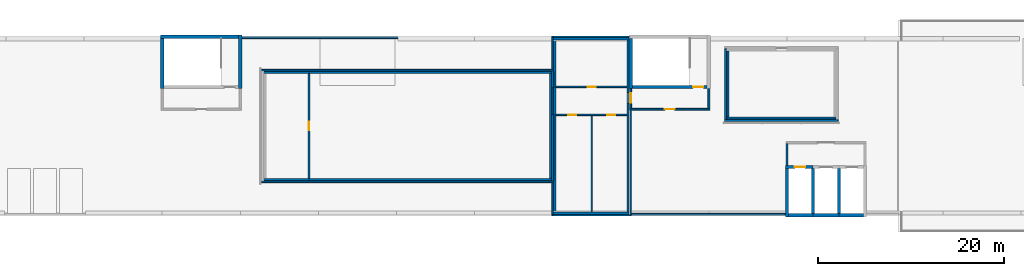
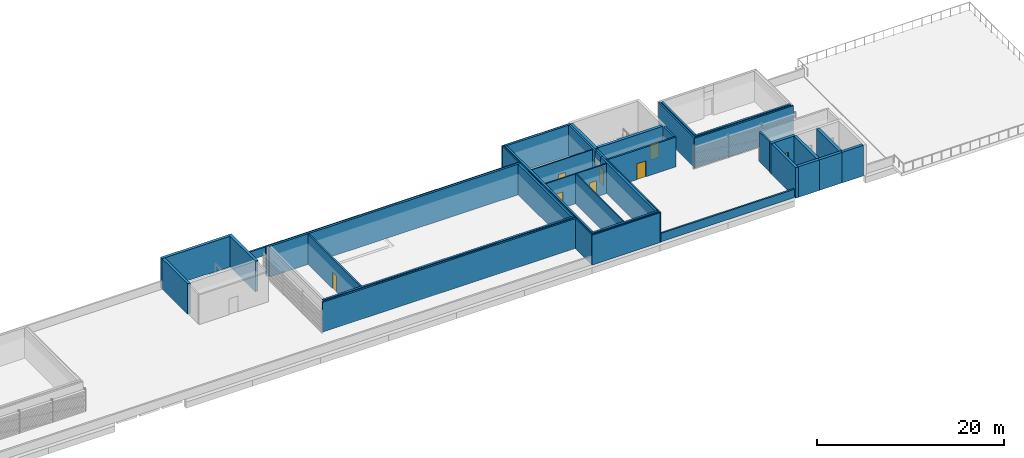
# One storey, part 3 of 13: 45 walls, 8 doors, 8 openings.
"""IFC4 building model written with IfcOpenShell, lengths in metres."""

from ifc_helpers import new_model, si_unit, direction, frame, frame_2d, origin, place, context, subcontext, project, spatial, polyline, rectangle, outline, extrude, material, layer, layer_set, type_object, element, fill, save


model = new_model("IFC4")

# Units and contexts
model_context = context("Model", 3, precision=1e-05, world=origin(), true_north=direction((0.0, 1.0)))
body_context = subcontext(model_context, "Body", "Model", "MODEL_VIEW")
ifc_project = project(units=[si_unit("LENGTHUNIT", "METRE"), si_unit("AREAUNIT", "SQUARE_METRE"), si_unit("VOLUMEUNIT", "CUBIC_METRE"), si_unit("PLANEANGLEUNIT", "RADIAN"), si_unit("MASSUNIT", "GRAM", prefix="KILO")], contexts=[model_context])

# Site, building, storey
site_placement = place(None, origin())
site = spatial("IfcSite", under=ifc_project, at=site_placement, CompositionType="ELEMENT")
building_placement = place(site_placement, origin())
building = spatial("IfcBuilding", under=site, at=building_placement, Name="Bougainvillea Quay General Hospital", CompositionType="ELEMENT")
storey_placement = place(building_placement, frame((0.0, 0.0, 36.60009765625)))
storey = spatial("IfcBuildingStorey", under=building, at=storey_placement, Name="L08", CompositionType="ELEMENT", Elevation=36.60009765625)

# Walls
ifc_material_1 = material(Name="Concrete C40, cast in situ", Category="concrete")
ifc_layer_1 = layer(ifc_material_1, 0.25)
ifc_layer_set_1 = layer_set([ifc_layer_1], Name="Concrete C40, cast in situ")
wall_type_1 = type_object("IfcWallType", Name="Lift overrun wall RC 250", PredefinedType="SOLIDWALL", material=ifc_layer_set_1)
wall_1_placement = place(storey_placement, origin())
element("IfcWall", 1, at=wall_1_placement, inside=storey, type_object=wall_type_1, Name="Lift overrun wall 0", PredefinedType="SOLIDWALL", context=body_context, shape_type="SweptSolid", body=[
    extrude(outline(polyline([(94.900390625, 144.1005859375), (125.8994140625, 144.1005859375), (125.8994140625, 144.3505859375), (94.900390625, 144.3505859375), (94.900390625, 144.1005859375)])), origin(), (0.0, 0.0, 1.0), 4.0),
])
wall_2_placement = place(storey_placement, origin())
element("IfcWall", 2, at=wall_2_placement, inside=storey, type_object=wall_type_1, Name="Lift overrun wall 0", PredefinedType="SOLIDWALL", context=body_context, shape_type="SweptSolid", body=[
    extrude(outline(polyline([(94.900390625, 155.6494140625), (125.8994140625, 155.6494140625), (125.8994140625, 155.8994140625), (94.900390625, 155.8994140625), (94.900390625, 155.6494140625)])), origin(), (0.0, 0.0, 1.0), 4.0),
])
wall_3_placement = place(storey_placement, origin())
element("IfcWall", 3, at=wall_3_placement, inside=storey, type_object=wall_type_1, Name="Lift overrun wall 0", PredefinedType="SOLIDWALL", context=body_context, shape_type="SweptSolid", body=[
    extrude(outline(polyline([(125.6494140625, 144.3505859375), (125.8994140625, 144.3505859375), (125.8994140625, 155.6494140625), (125.6494140625, 155.6494140625), (125.6494140625, 144.3505859375)])), origin(), (0.0, 0.0, 1.0), 4.0),
])
wall_4_placement = place(storey_placement, origin())
element("IfcWall", 4, at=wall_4_placement, inside=storey, type_object=wall_type_1, Name="Lift overrun wall 0", PredefinedType="SOLIDWALL", context=body_context, shape_type="SweptSolid", body=[
    extrude(outline(polyline([(144.700439453125, 150.700439453125), (156.49951171875, 150.700439453125), (156.49951171875, 150.950439453125), (144.700439453125, 150.950439453125), (144.700439453125, 150.700439453125)])), origin(), (0.0, 0.0, 1.0), 4.0),
])
wall_5_placement = place(storey_placement, origin())
element("IfcWall", 5, at=wall_5_placement, inside=storey, type_object=wall_type_1, Name="Lift overrun wall 0", PredefinedType="SOLIDWALL", context=body_context, shape_type="SweptSolid", body=[
    extrude(outline(polyline([(144.700439453125, 150.950439453125), (144.950439453125, 150.950439453125), (144.950439453125, 158.049560546875), (144.700439453125, 158.049560546875), (144.700439453125, 150.950439453125)])), origin(), (0.0, 0.0, 1.0), 4.0),
])
wall_6_placement = place(storey_placement, origin())
element("IfcWall", 6, at=wall_6_placement, inside=storey, type_object=wall_type_1, Name="Lift overrun wall 0", PredefinedType="SOLIDWALL", context=body_context, shape_type="SweptSolid", body=[
    extrude(outline(polyline([(126.1005859375, 140.50048828125), (134.224609375, 140.50048828125), (134.224609375, 140.75048828125), (126.1005859375, 140.75048828125), (126.1005859375, 140.50048828125)])), origin(), (0.0, 0.0, 1.0), 4.0),
])
wall_7_placement = place(storey_placement, origin())
element("IfcWall", 7, at=wall_7_placement, inside=storey, type_object=wall_type_1, Name="Lift overrun wall 0", PredefinedType="SOLIDWALL", context=body_context, shape_type="SweptSolid", body=[
    extrude(outline(polyline([(126.1005859375, 159.24951171875), (134.224609375, 159.24951171875), (134.224609375, 159.49951171875), (126.1005859375, 159.49951171875), (126.1005859375, 159.24951171875)])), origin(), (0.0, 0.0, 1.0), 4.0),
])
wall_8_placement = place(storey_placement, origin())
element("IfcWall", 8, at=wall_8_placement, inside=storey, type_object=wall_type_1, Name="Lift overrun wall 0", PredefinedType="SOLIDWALL", context=body_context, shape_type="SweptSolid", body=[
    extrude(outline(polyline([(126.1005859375, 140.75048828125), (126.3505859375, 140.75048828125), (126.3505859375, 159.24951171875), (126.1005859375, 159.24951171875), (126.1005859375, 140.75048828125)])), origin(), (0.0, 0.0, 1.0), 4.0),
])
wall_9_placement = place(storey_placement, origin())
element("IfcWall", 9, at=wall_9_placement, inside=storey, type_object=wall_type_1, Name="Lift overrun wall 0", PredefinedType="SOLIDWALL", context=body_context, shape_type="SweptSolid", body=[
    extrude(outline(polyline([(134.224609375, 140.75048828125), (133.974609375, 140.75048828125), (133.974609375, 152.39990234375), (134.224609375, 152.39990234375), (134.224609375, 140.75048828125)])), origin(), (0.0, 0.0, 1.0), 4.0),
])
wall_10_placement = place(storey_placement, origin())
element("IfcWall", 10, at=wall_10_placement, inside=storey, type_object=wall_type_1, Name="Lift overrun wall 0", PredefinedType="SOLIDWALL", context=body_context, shape_type="SweptSolid", body=[
    extrude(outline(polyline([(133.974609375, 159.24951171875), (134.224609375, 159.24951171875), (134.224609375, 153.60009765625), (133.974609375, 153.60009765625), (133.974609375, 159.24951171875)])), origin(), (0.0, 0.0, 1.0), 4.0),
])
wall_11_placement = place(storey_placement, frame((0.0, 0.0, 3.309814453125)))
element("IfcWall", 11, at=wall_11_placement, inside=storey, type_object=wall_type_1, Name="Lift overrun wall 0", PredefinedType="SOLIDWALL", context=body_context, shape_type="SweptSolid", body=[
    extrude(outline(polyline([(134.224609375, 152.39990234375), (133.974609375, 152.39990234375), (133.974609375, 153.60009765625), (134.224609375, 153.60009765625), (134.224609375, 152.39990234375)])), origin(), (0.0, 0.0, 1.0), 0.690185546875),
])
ifc_material_2 = material(Name="Gypsum board partition on steel studs, insulated", Category="steel")
ifc_layer_2 = layer(ifc_material_2, 0.14990234375)
ifc_layer_set_2 = layer_set([ifc_layer_2], Name="Gypsum board partition on steel studs, insulated")
wall_type_2 = type_object("IfcWallType", Name="Partition 150 Gypsum board partition EI 30", PredefinedType="PARTITIONING", material=ifc_layer_set_2)
wall_12_placement = place(storey_placement, frame((134.39990234375, 140.324951171875, 0.0), z_axis=(0.0, 0.0, 1.0), x_axis=(0.0, 1.0, 0.0)))
element("IfcWall", 12, at=wall_12_placement, inside=storey, type_object=wall_type_2, Name="Partition 150 mm EI 30", PredefinedType="PARTITIONING", context=body_context, shape_type="SweptSolid", body=[
    extrude(rectangle(XDim=11.375, YDim=0.14990234375, at=frame_2d((5.6875, 0.0))), origin(), (0.0, 0.0, 1.0), 3.89990234375),
])
wall_13_placement = place(storey_placement, frame((125.925048828125, 140.39990234375, 0.0), z_axis=(0.0, 0.0, 1.0), x_axis=(1.0, 0.0, 0.0)))
element("IfcWall", 13, at=wall_13_placement, inside=storey, type_object=wall_type_2, Name="Partition 150 mm EI 30", PredefinedType="PARTITIONING", context=body_context, shape_type="SweptSolid", body=[
    extrude(rectangle(XDim=8.39990234375, YDim=0.14990234375, at=frame_2d((4.199951171875, 0.0))), origin(), (0.0, 0.0, 1.0), 3.89990234375),
])

# Wall, openings, doors
wall_14_placement = place(storey_placement, frame((126.3505859375, 151.199951171875, 0.0), z_axis=(0.0, 0.0, 1.0), x_axis=(1.0, 0.0, 0.0)))
wall_14 = element("IfcWall", 14, at=wall_14_placement, inside=storey, type_object=wall_type_2, Name="Partition 150 mm EI 30", PredefinedType="PARTITIONING", context=body_context, shape_type="SweptSolid", body=[
    extrude(rectangle(XDim=7.6240234375, YDim=0.14990234375, at=frame_2d((3.81201171875, 0.0))), origin(), (0.0, 0.0, 1.0), 3.89990234375),
])
opening_1_placement = place(wall_14_placement, frame((1.299560546875, 0.0, 0.0)))
opening_1 = element("IfcOpeningElement", 15, at=opening_1_placement, cuts=wall_14, Name="Opening L08.003", PredefinedType="OPENING", context=body_context, shape_type="SweptSolid", body=[
    extrude(rectangle(XDim=0.89990234375, YDim=2.10009765625, at=frame_2d((0.449951171875, 1.050048828125))), frame((0.0, 0.0849609375, 0.0), z_axis=(0.0, -1.0, 0.0), x_axis=(1.0, 0.0, 0.0)), (0.0, 0.0, 1.0), 0.169921875),
])
opening_2_placement = place(wall_14_placement, frame((5.49951171875, 0.0, 0.0)))
opening_2 = element("IfcOpeningElement", 16, at=opening_2_placement, cuts=wall_14, Name="Opening L08.004", PredefinedType="OPENING", context=body_context, shape_type="SweptSolid", body=[
    extrude(rectangle(XDim=0.89990234375, YDim=2.10009765625, at=frame_2d((0.449951171875, 1.050048828125))), frame((0.0, 0.0849609375, 0.0), z_axis=(0.0, -1.0, 0.0), x_axis=(1.0, 0.0, 0.0)), (0.0, 0.0, 1.0), 0.169921875),
])
ifc_material_3 = material(Name="Solid-core timber door leaf in steel frame", Category="steel")
door_type_1 = type_object("IfcDoorType", Name="Single leaf door 900x2100", OperationType="NOTDEFINED", PredefinedType="DOOR", material=ifc_material_3)
door_1_placement = place(opening_1_placement, origin())
door_1 = element("IfcDoor", 17, at=door_1_placement, inside=storey, type_object=door_type_1, Name="DT07 L08.003", OperationType="SINGLE_SWING_LEFT", OverallHeight=2.10009765625, OverallWidth=0.89990234375, PredefinedType="DOOR", context=body_context, shape_type="SweptSolid", body=[
    extrude(rectangle(XDim=0.89990234375, YDim=2.10009765625, at=frame_2d((0.449951171875, 1.050048828125))), frame((0.0, 0.02490234375, 0.0), z_axis=(0.0, -1.0, 0.0), x_axis=(1.0, 0.0, 0.0)), (0.0, 0.0, 1.0), 0.050048828125),
])
fill(opening_1, door_1)
door_2_placement = place(opening_2_placement, origin())
door_2 = element("IfcDoor", 18, at=door_2_placement, inside=storey, type_object=door_type_1, Name="DT07 L08.004", OperationType="SINGLE_SWING_RIGHT", OverallHeight=2.10009765625, OverallWidth=0.89990234375, PredefinedType="DOOR", context=body_context, shape_type="SweptSolid", body=[
    extrude(rectangle(XDim=0.89990234375, YDim=2.10009765625, at=frame_2d((0.449951171875, 1.050048828125))), frame((0.0, 0.02490234375, 0.0), z_axis=(0.0, -1.0, 0.0), x_axis=(1.0, 0.0, 0.0)), (0.0, 0.0, 1.0), 0.050048828125),
])
fill(opening_2, door_2)

# Wall
wall_15_placement = place(storey_placement, frame((130.199951171875, 140.75048828125, 0.0), z_axis=(0.0, 0.0, 1.0), x_axis=(0.0, 1.0, 0.0)))
element("IfcWall", 19, at=wall_15_placement, inside=storey, type_object=wall_type_2, Name="Partition 150 mm EI 30", PredefinedType="PARTITIONING", context=body_context, shape_type="SweptSolid", body=[
    extrude(rectangle(XDim=10.37451171875, YDim=0.14990234375, at=frame_2d((5.187255859375, 0.0))), origin(), (0.0, 0.0, 1.0), 3.89990234375),
])

# Wall, opening, door
wall_16_placement = place(storey_placement, frame((126.3505859375, 154.199951171875, 0.0), z_axis=(0.0, 0.0, 1.0), x_axis=(1.0, 0.0, 0.0)))
wall_16 = element("IfcWall", 20, at=wall_16_placement, inside=storey, type_object=wall_type_2, Name="Partition 150 mm EI 30", PredefinedType="PARTITIONING", context=body_context, shape_type="SweptSolid", body=[
    extrude(rectangle(XDim=7.6240234375, YDim=0.14990234375, at=frame_2d((3.81201171875, 0.0))), origin(), (0.0, 0.0, 1.0), 3.89990234375),
])
opening_3_placement = place(wall_16_placement, frame((3.3994140625, 0.0, 0.0)))
opening_3 = element("IfcOpeningElement", 21, at=opening_3_placement, cuts=wall_16, Name="Opening L08.005", PredefinedType="OPENING", context=body_context, shape_type="SweptSolid", body=[
    extrude(rectangle(XDim=0.89990234375, YDim=2.10009765625, at=frame_2d((0.449951171875, 1.050048828125))), frame((0.0, 0.0849609375, 0.0), z_axis=(0.0, -1.0, 0.0), x_axis=(1.0, 0.0, 0.0)), (0.0, 0.0, 1.0), 0.169921875),
])
door_3_placement = place(opening_3_placement, frame((0.89990234375, 0.0, 0.0), z_axis=(0.0, 0.0, 1.0), x_axis=(-1.0, 0.0, 0.0)))
door_3 = element("IfcDoor", 22, at=door_3_placement, inside=storey, type_object=door_type_1, Name="DT07 L08.005", OperationType="SINGLE_SWING_LEFT", OverallHeight=2.10009765625, OverallWidth=0.89990234375, PredefinedType="DOOR", context=body_context, shape_type="SweptSolid", body=[
    extrude(rectangle(XDim=0.89990234375, YDim=2.10009765625, at=frame_2d((0.449951171875, 1.050048828125))), frame((0.0, 0.02490234375, 0.0), z_axis=(0.0, -1.0, 0.0), x_axis=(1.0, 0.0, 0.0)), (0.0, 0.0, 1.0), 0.050048828125),
])
fill(opening_3, door_3)

# Walls
wall_17_placement = place(storey_placement, frame((125.925048828125, 159.60009765625, 0.0), z_axis=(0.0, 0.0, 1.0), x_axis=(1.0, 0.0, 0.0)))
element("IfcWall", 23, at=wall_17_placement, inside=storey, type_object=wall_type_2, Name="Partition 150 mm EI 30", PredefinedType="PARTITIONING", context=body_context, shape_type="SweptSolid", body=[
    extrude(rectangle(XDim=8.300048828125, YDim=0.14990234375, at=frame_2d((4.14990234375, 0.0))), origin(), (0.0, 0.0, 1.0), 3.89990234375),
])
for number, where, z_axis, x_axis, name in (
    (24, (126.0, 140.47509765625, 0.0), (0.0, 0.0, 1.0), (0.0, 1.0, 0.0), "Partition 150 mm EI 30"),
    (25, (126.0, 156.10009765625, 0.0), (0.0, 0.0, 1.0), (0.0, 1.0, 0.0), "Partition 150 mm EI 30"),
):
    element("IfcWall", number, at=place(storey_placement, frame(where, z_axis=z_axis, x_axis=x_axis)), inside=storey, type_object=wall_type_2, Name=name, PredefinedType="PARTITIONING", context=body_context, shape_type="SweptSolid", body=[
        extrude(rectangle(XDim=3.4248046875, YDim=0.14990234375, at=frame_2d((1.71240234375, 0.0))), origin(), (0.0, 0.0, 1.0), 3.89990234375),
    ])
ifc_layer_3 = layer(ifc_material_2, 0.14990234375)
ifc_layer_set_3 = layer_set([ifc_layer_3], Name="Gypsum board partition on steel studs, insulated")
wall_type_3 = type_object("IfcWallType", Name="Partition 150 Gypsum board partition EI 60", PredefinedType="PARTITIONING", material=ifc_layer_set_3)
wall_18_placement = place(storey_placement, frame((126.0, 151.27490234375, 0.0), z_axis=(0.0, 0.0, 1.0), x_axis=(0.0, 1.0, 0.0)))
element("IfcWall", 26, at=wall_18_placement, inside=storey, type_object=wall_type_3, Name="Partition 150 mm EI 60", PredefinedType="PARTITIONING", context=body_context, shape_type="SweptSolid", body=[
    extrude(rectangle(XDim=2.85009765625, YDim=0.14990234375, at=frame_2d((1.425048828125, 0.0))), origin(), (0.0, 0.0, 1.0), 3.89990234375),
])

# Wall, opening, door
ifc_material_4 = material(Name="Fire-rated autoclaved aerated block wall, plastered")
ifc_layer_4 = layer(ifc_material_4, 0.199951171875)
ifc_layer_set_4 = layer_set([ifc_layer_4], Name="Fire-rated autoclaved aerated block wall, plastered")
wall_type_4 = type_object("IfcWallType", Name="Partition 200 Fire-rated autoclaved aerated block wall EI 120", PredefinedType="SOLIDWALL", material=ifc_layer_set_4)
wall_19_placement = place(storey_placement, frame((134.300048828125, 151.800048828125, 0.0), z_axis=(0.0, 0.0, 1.0), x_axis=(1.0, 0.0, 0.0)))
wall_19 = element("IfcWall", 27, at=wall_19_placement, inside=storey, type_object=wall_type_4, Name="Partition 200 mm EI 120", PredefinedType="SOLIDWALL", context=body_context, shape_type="SweptSolid", body=[
    extrude(rectangle(XDim=8.599853515625, YDim=0.199951171875, at=frame_2d((4.2998046875, 0.0))), origin(), (0.0, 0.0, 1.0), 3.89990234375),
])
opening_4_placement = place(wall_19_placement, frame((3.75, 0.0, 0.0)))
opening_4 = element("IfcOpeningElement", 28, at=opening_4_placement, cuts=wall_19, Name="Opening L08.010", PredefinedType="OPENING", context=body_context, shape_type="SweptSolid", body=[
    extrude(rectangle(XDim=1.10009765625, YDim=2.10009765625, at=frame_2d((0.550048828125, 1.050048828125))), frame((0.0, 0.10986328125, 0.0), z_axis=(0.0, -1.0, 0.0), x_axis=(1.0, 0.0, 0.0)), (0.0, 0.0, 1.0), 0.219970703125),
])
ifc_material_5 = material(Name="Steel fire door leaf in steel frame", Category="steel")
door_type_2 = type_object("IfcDoorType", Name="Steel single leaf door 1100x2100 FD60", OperationType="NOTDEFINED", PredefinedType="DOOR", material=ifc_material_5)
door_4_placement = place(opening_4_placement, origin())
door_4 = element("IfcDoor", 29, at=door_4_placement, inside=storey, type_object=door_type_2, Name="DT04 L08.010", OperationType="SINGLE_SWING_LEFT", OverallHeight=2.10009765625, OverallWidth=1.10009765625, PredefinedType="DOOR", context=body_context, shape_type="SweptSolid", body=[
    extrude(rectangle(XDim=1.10009765625, YDim=2.10009765625, at=frame_2d((0.550048828125, 1.050048828125))), frame((0.0, 0.02490234375, 0.0), z_axis=(0.0, -1.0, 0.0), x_axis=(1.0, 0.0, 0.0)), (0.0, 0.0, 1.0), 0.050048828125),
])
fill(opening_4, door_4)

# Wall
wall_20_placement = place(storey_placement, frame((151.199951171875, 145.77490234375, 0.0), z_axis=(0.0, 0.0, 1.0), x_axis=(0.0, 1.0, 0.0)))
element("IfcWall", 30, at=wall_20_placement, inside=storey, type_object=wall_type_4, Name="Partition 200 mm EI 120", PredefinedType="SOLIDWALL", context=body_context, shape_type="SweptSolid", body=[
    extrude(rectangle(XDim=2.3251953125, YDim=0.199951171875, at=frame_2d((1.16259765625, 0.0))), origin(), (0.0, 0.0, 1.0), 3.89990234375),
])

# Wall, opening, door
wall_21_placement = place(storey_placement, frame((134.39990234375, 151.89990234375, 0.0), z_axis=(0.0, 0.0, 1.0), x_axis=(0.0, 1.0, 0.0)))
wall_21 = element("IfcWall", 31, at=wall_21_placement, inside=storey, type_object=wall_type_4, Name="Partition 200 mm EI 120", PredefinedType="SOLIDWALL", context=body_context, shape_type="SweptSolid", body=[
    extrude(rectangle(XDim=2.125, YDim=0.199951171875, at=frame_2d((1.0625, 0.0))), origin(), (0.0, 0.0, 1.0), 3.89990234375),
])
opening_5_placement = place(wall_21_placement, frame((0.60009765625, 0.0, 0.0)))
opening_5 = element("IfcOpeningElement", 32, at=opening_5_placement, cuts=wall_21, Name="Opening L08.006", PredefinedType="OPENING", context=body_context, shape_type="SweptSolid", body=[
    extrude(rectangle(XDim=1.0, YDim=2.10009765625, at=frame_2d((0.5, 1.050048828125))), frame((0.0, 0.10986328125, 0.0), z_axis=(0.0, -1.0, 0.0), x_axis=(1.0, 0.0, 0.0)), (0.0, 0.0, 1.0), 0.219970703125),
])
door_type_3 = type_object("IfcDoorType", Name="Steel single leaf door 1000x2100 FD60", OperationType="NOTDEFINED", PredefinedType="DOOR", material=ifc_material_5)
door_5_placement = place(opening_5_placement, origin())
door_5 = element("IfcDoor", 33, at=door_5_placement, inside=storey, type_object=door_type_3, Name="DT10 L08.006", OperationType="SINGLE_SWING_RIGHT", OverallHeight=2.10009765625, OverallWidth=1.0, PredefinedType="DOOR", context=body_context, shape_type="SweptSolid", body=[
    extrude(rectangle(XDim=1.0, YDim=2.10009765625, at=frame_2d((0.5, 1.050048828125))), frame((0.0, 0.02490234375, 0.0), z_axis=(0.0, -1.0, 0.0), x_axis=(1.0, 0.0, 0.0)), (0.0, 0.0, 1.0), 0.050048828125),
])
fill(opening_5, door_5)

# Walls
wall_22_placement = place(storey_placement, frame((142.800048828125, 151.89990234375, 0.0), z_axis=(0.0, 0.0, 1.0), x_axis=(0.0, 1.0, 0.0)))
element("IfcWall", 34, at=wall_22_placement, inside=storey, type_object=wall_type_4, Name="Partition 200 mm EI 120", PredefinedType="SOLIDWALL", context=body_context, shape_type="SweptSolid", body=[
    extrude(rectangle(XDim=2.125, YDim=0.199951171875, at=frame_2d((1.0625, 0.0))), origin(), (0.0, 0.0, 1.0), 3.89990234375),
])
ifc_layer_5 = layer(ifc_material_4, 0.199951171875)
ifc_layer_set_5 = layer_set([ifc_layer_5], Name="Fire-rated autoclaved aerated block wall, plastered")
wall_type_5 = type_object("IfcWallType", Name="Partition 200 Fire-rated autoclaved aerated block wall EI 60", PredefinedType="SOLIDWALL", material=ifc_layer_set_5)
for number, where, z_axis, x_axis, name in (
    (35, (94.699951171875, 144.0, 0.0), (0.0, 0.0, 1.0), (1.0, 0.0, 0.0), "Partition 200 mm EI 60"),
    (36, (94.699951171875, 156.0, 0.0), (0.0, 0.0, 1.0), (1.0, 0.0, 0.0), "Partition 200 mm EI 60"),
):
    element("IfcWall", number, at=place(storey_placement, frame(where, z_axis=z_axis, x_axis=x_axis)), inside=storey, type_object=wall_type_5, Name=name, PredefinedType="SOLIDWALL", context=body_context, shape_type="SweptSolid", body=[
        extrude(rectangle(XDim=31.400146484375, YDim=0.199951171875, at=frame_2d((15.7001953125, 0.0))), origin(), (0.0, 0.0, 1.0), 3.89990234375),
    ])

# Wall, opening, door
wall_23_placement = place(storey_placement, frame((99.7919921875, 144.3505859375, 0.0), z_axis=(0.0, 0.0, 1.0), x_axis=(0.0, 1.0, 0.0)))
wall_23 = element("IfcWall", 37, at=wall_23_placement, inside=storey, type_object=wall_type_5, Name="Partition 200 mm EI 60", PredefinedType="SOLIDWALL", context=body_context, shape_type="SweptSolid", body=[
    extrude(rectangle(XDim=11.298828125, YDim=0.199951171875, at=frame_2d((5.6494140625, 0.0))), origin(), (0.0, 0.0, 1.0), 3.89990234375),
])
opening_6_placement = place(wall_23_placement, frame((5.199462890625, 0.0, 0.0)))
opening_6 = element("IfcOpeningElement", 38, at=opening_6_placement, cuts=wall_23, Name="Opening L08.002", PredefinedType="OPENING", context=body_context, shape_type="SweptSolid", body=[
    extrude(rectangle(XDim=0.89990234375, YDim=2.10009765625, at=frame_2d((0.449951171875, 1.050048828125))), frame((0.0, 0.10986328125, 0.0), z_axis=(0.0, -1.0, 0.0), x_axis=(1.0, 0.0, 0.0)), (0.0, 0.0, 1.0), 0.219970703125),
])
door_type_4 = type_object("IfcDoorType", Name="Single leaf door 900x2100 FD60", OperationType="NOTDEFINED", PredefinedType="DOOR", material=ifc_material_3)
door_6_placement = place(opening_6_placement, origin())
door_6 = element("IfcDoor", 39, at=door_6_placement, inside=storey, type_object=door_type_4, Name="DT18 L08.002", OperationType="SINGLE_SWING_LEFT", OverallHeight=2.10009765625, OverallWidth=0.89990234375, PredefinedType="DOOR", context=body_context, shape_type="SweptSolid", body=[
    extrude(rectangle(XDim=0.89990234375, YDim=2.10009765625, at=frame_2d((0.449951171875, 1.050048828125))), frame((0.0, 0.02490234375, 0.0), z_axis=(0.0, -1.0, 0.0), x_axis=(1.0, 0.0, 0.0)), (0.0, 0.0, 1.0), 0.050048828125),
])
fill(opening_6, door_6)

# Walls
wall_24_placement = place(storey_placement, frame((144.5, 150.60009765625, 0.0), z_axis=(0.0, 0.0, 1.0), x_axis=(1.0, 0.0, 0.0)))
element("IfcWall", 40, at=wall_24_placement, inside=storey, type_object=wall_type_5, Name="Partition 200 mm EI 60", PredefinedType="SOLIDWALL", context=body_context, shape_type="SweptSolid", body=[
    extrude(rectangle(XDim=12.199951171875, YDim=0.199951171875, at=frame_2d((6.10009765625, 0.0))), origin(), (0.0, 0.0, 1.0), 3.89990234375),
])
wall_25_placement = place(storey_placement, frame((144.60009765625, 150.699951171875, 0.0), z_axis=(0.0, 0.0, 1.0), x_axis=(0.0, 1.0, 0.0)))
element("IfcWall", 41, at=wall_25_placement, inside=storey, type_object=wall_type_5, Name="Partition 200 mm EI 60", PredefinedType="SOLIDWALL", context=body_context, shape_type="SweptSolid", body=[
    extrude(rectangle(XDim=7.60009765625, YDim=0.199951171875, at=frame_2d((3.800048828125, 0.0))), origin(), (0.0, 0.0, 1.0), 3.89990234375),
])
wall_26_placement = place(storey_placement, frame((126.0, 144.10009765625, 0.0), z_axis=(0.0, 0.0, 1.0), x_axis=(0.0, 1.0, 0.0)))
element("IfcWall", 42, at=wall_26_placement, inside=storey, type_object=wall_type_5, Name="Partition 200 mm EI 60", PredefinedType="SOLIDWALL", context=body_context, shape_type="SweptSolid", body=[
    extrude(rectangle(XDim=7.1748046875, YDim=0.199951171875, at=frame_2d((3.58740234375, 0.0))), origin(), (0.0, 0.0, 1.0), 3.89990234375),
])
wall_27_placement = place(storey_placement, frame((126.0, 154.125, 0.0), z_axis=(0.0, 0.0, 1.0), x_axis=(0.0, 1.0, 0.0)))
element("IfcWall", 43, at=wall_27_placement, inside=storey, type_object=wall_type_5, Name="Partition 200 mm EI 60", PredefinedType="SOLIDWALL", context=body_context, shape_type="SweptSolid", body=[
    extrude(rectangle(XDim=1.77490234375, YDim=0.199951171875, at=frame_2d((0.887451171875, 0.0))), origin(), (0.0, 0.0, 1.0), 3.89990234375),
])
ifc_material_6 = material(Name="Concrete C40", Category="concrete")
ifc_layer_6 = layer(ifc_material_6, 0.35009765625)
ifc_layer_set_6 = layer_set([ifc_layer_6], Name="Concrete C40")
wall_type_6 = type_object("IfcWallType", Name="RC SHEAR WALL 350 C40", PredefinedType="SHEAR", material=ifc_layer_set_6)
wall_28_placement = place(storey_placement, frame((83.824951171875, 159.60009765625, 0.0), z_axis=(0.0, 0.0, 1.0), x_axis=(1.0, 0.0, 0.0)))
element("IfcWall", 44, at=wall_28_placement, inside=storey, type_object=wall_type_6, Name="Shear wall L08", PredefinedType="SHEAR", context=body_context, shape_type="SweptSolid", body=[
    extrude(rectangle(XDim=8.400146484375, YDim=0.35009765625, at=frame_2d((4.2001953125, 0.0))), origin(), (0.0, 0.0, 1.0), 4.0),
])
wall_29_placement = place(storey_placement, frame((84.0, 154.02490234375, 0.0), z_axis=(0.0, 0.0, 1.0), x_axis=(0.0, 1.0, 0.0)))
element("IfcWall", 45, at=wall_29_placement, inside=storey, type_object=wall_type_6, Name="Shear wall L08", PredefinedType="SHEAR", context=body_context, shape_type="SweptSolid", body=[
    extrude(rectangle(XDim=5.400146484375, YDim=0.35009765625, at=frame_2d((2.7001953125, 0.0))), origin(), (0.0, 0.0, 1.0), 4.0),
])
wall_30_placement = place(storey_placement, frame((92.39990234375, 154.02490234375, 0.0), z_axis=(0.0, 0.0, 1.0), x_axis=(0.0, 1.0, 0.0)))
element("IfcWall", 46, at=wall_30_placement, inside=storey, type_object=wall_type_6, Name="Shear wall L08", PredefinedType="SHEAR", context=body_context, shape_type="SweptSolid", body=[
    extrude(rectangle(XDim=5.75, YDim=0.35009765625, at=frame_2d((2.875, 0.0))), origin(), (0.0, 0.0, 1.0), 4.0),
])
wall_31_placement = place(storey_placement, frame((134.39990234375, 154.02490234375, 0.0), z_axis=(0.0, 0.0, 1.0), x_axis=(0.0, 1.0, 0.0)))
element("IfcWall", 47, at=wall_31_placement, inside=storey, type_object=wall_type_6, Name="Shear wall L08", PredefinedType="SHEAR", context=body_context, shape_type="SweptSolid", body=[
    extrude(rectangle(XDim=5.400146484375, YDim=0.35009765625, at=frame_2d((2.7001953125, 0.0))), origin(), (0.0, 0.0, 1.0), 4.0),
])

# Wall, opening, door
wall_32_placement = place(storey_placement, frame((134.574951171875, 154.199951171875, 0.0), z_axis=(0.0, 0.0, 1.0), x_axis=(1.0, 0.0, 0.0)))
wall_32 = element("IfcWall", 48, at=wall_32_placement, inside=storey, type_object=wall_type_6, Name="Shear wall L08", PredefinedType="SHEAR", context=body_context, shape_type="SweptSolid", body=[
    extrude(rectangle(XDim=8.050048828125, YDim=0.35009765625, at=frame_2d((4.02490234375, 0.0))), origin(), (0.0, 0.0, 1.0), 4.0),
])
opening_7_placement = place(wall_32_placement, frame((6.53759765625, 0.0, 0.0)))
opening_7 = element("IfcOpeningElement", 49, at=opening_7_placement, cuts=wall_32, Name="Opening L08.009", PredefinedType="OPENING", context=body_context, shape_type="SweptSolid", body=[
    extrude(rectangle(XDim=1.10009765625, YDim=2.10009765625, at=frame_2d((0.550048828125, 1.050048828125))), frame((0.0, 0.18505859375, 0.0), z_axis=(0.0, -1.0, 0.0), x_axis=(1.0, 0.0, 0.0)), (0.0, 0.0, 1.0), 0.3701171875),
])
door_7_placement = place(opening_7_placement, origin())
door_7 = element("IfcDoor", 50, at=door_7_placement, inside=storey, type_object=door_type_2, Name="DT04 L08.009", OperationType="SINGLE_SWING_RIGHT", OverallHeight=2.10009765625, OverallWidth=1.10009765625, PredefinedType="DOOR", context=body_context, shape_type="SweptSolid", body=[
    extrude(rectangle(XDim=1.10009765625, YDim=2.10009765625, at=frame_2d((0.550048828125, 1.050048828125))), frame((0.0, 0.02490234375, 0.0), z_axis=(0.0, -1.0, 0.0), x_axis=(1.0, 0.0, 0.0)), (0.0, 0.0, 1.0), 0.050048828125),
])
fill(opening_7, door_7)

wall_33_placement = place(storey_placement, frame((151.02490234375, 145.60009765625, 0.0), z_axis=(0.0, 0.0, 1.0), x_axis=(1.0, 0.0, 0.0)))
wall_33 = element("IfcWall", 51, at=wall_33_placement, inside=storey, type_object=wall_type_6, Name="Shear wall L08", PredefinedType="SHEAR", context=body_context, shape_type="SweptSolid", body=[
    extrude(rectangle(XDim=2.97509765625, YDim=0.35009765625, at=frame_2d((1.487548828125, 0.0))), origin(), (0.0, 0.0, 1.0), 4.0),
])
opening_8_placement = place(wall_33_placement, frame((1.02490234375, 0.0, 0.0)))
opening_8 = element("IfcOpeningElement", 52, at=opening_8_placement, cuts=wall_33, Name="Opening LD-A2.1-L08", PredefinedType="OPENING", context=body_context, shape_type="SweptSolid", body=[
    extrude(rectangle(XDim=1.10009765625, YDim=2.10009765625, at=frame_2d((0.550048828125, 1.050048828125))), frame((0.0, 0.18505859375, 0.0), z_axis=(0.0, -1.0, 0.0), x_axis=(1.0, 0.0, 0.0)), (0.0, 0.0, 1.0), 0.3701171875),
])
ifc_material_7 = material(Name="Stainless steel centre-opening landing door", Category="steel")
door_type_5 = type_object("IfcDoorType", Name="Lift landing door 1100x2100 E 120", OperationType="DOUBLE_DOOR_SLIDING", PredefinedType="DOOR", material=ifc_material_7)
door_8_placement = place(opening_8_placement, origin())
door_8 = element("IfcDoor", 53, at=door_8_placement, inside=storey, type_object=door_type_5, Name="Lift landing door LB-A2-1 L08", OperationType="DOUBLE_DOOR_SLIDING", OverallHeight=2.10009765625, OverallWidth=1.10009765625, PredefinedType="DOOR", context=body_context, shape_type="SweptSolid", body=[
    extrude(rectangle(XDim=1.10009765625, YDim=2.10009765625, at=frame_2d((0.550048828125, 1.050048828125))), frame((0.0, 0.02490234375, 0.0), z_axis=(0.0, -1.0, 0.0), x_axis=(1.0, 0.0, 0.0)), (0.0, 0.0, 1.0), 0.050048828125),
])
fill(opening_8, door_8)

# Walls
wall_34_placement = place(storey_placement, frame((151.199951171875, 140.22509765625, 0.0), z_axis=(0.0, 0.0, 1.0), x_axis=(0.0, 1.0, 0.0)))
element("IfcWall", 54, at=wall_34_placement, inside=storey, type_object=wall_type_6, Name="Shear wall L08", PredefinedType="SHEAR", context=body_context, shape_type="SweptSolid", body=[
    extrude(rectangle(XDim=5.199951171875, YDim=0.35009765625, at=frame_2d((2.60009765625, 0.0))), origin(), (0.0, 0.0, 1.0), 4.0),
])
wall_35_placement = place(storey_placement, frame((151.375, 140.39990234375, 0.0), z_axis=(0.0, 0.0, 1.0), x_axis=(1.0, 0.0, 0.0)))
element("IfcWall", 55, at=wall_35_placement, inside=storey, type_object=wall_type_6, Name="Shear wall L08", PredefinedType="SHEAR", context=body_context, shape_type="SweptSolid", body=[
    extrude(rectangle(XDim=2.625, YDim=0.35009765625, at=frame_2d((1.3125, 0.0))), origin(), (0.0, 0.0, 1.0), 4.0),
])
wall_36_placement = place(storey_placement, frame((154.0, 140.39990234375, 0.0), z_axis=(0.0, 0.0, 1.0), x_axis=(1.0, 0.0, 0.0)))
element("IfcWall", 56, at=wall_36_placement, inside=storey, type_object=wall_type_6, Name="Shear wall L08", PredefinedType="SHEAR", context=body_context, shape_type="SweptSolid", body=[
    extrude(rectangle(XDim=2.800048828125, YDim=0.35009765625, at=frame_2d((1.39990234375, 0.0))), origin(), (0.0, 0.0, 1.0), 4.0),
])
wall_37_placement = place(storey_placement, frame((154.0, 140.574951171875, 0.0), z_axis=(0.0, 0.0, 1.0), x_axis=(0.0, 1.0, 0.0)))
element("IfcWall", 57, at=wall_37_placement, inside=storey, type_object=wall_type_6, Name="Shear wall L08", PredefinedType="SHEAR", context=body_context, shape_type="SweptSolid", body=[
    extrude(rectangle(XDim=4.85009765625, YDim=0.35009765625, at=frame_2d((2.425048828125, 0.0))), origin(), (0.0, 0.0, 1.0), 4.0),
])
wall_38_placement = place(storey_placement, frame((156.800048828125, 140.39990234375, 0.0), z_axis=(0.0, 0.0, 1.0), x_axis=(1.0, 0.0, 0.0)))
element("IfcWall", 58, at=wall_38_placement, inside=storey, type_object=wall_type_6, Name="Shear wall L08", PredefinedType="SHEAR", context=body_context, shape_type="SweptSolid", body=[
    extrude(rectangle(XDim=2.625, YDim=0.35009765625, at=frame_2d((1.3125, 0.0))), origin(), (0.0, 0.0, 1.0), 4.0),
])
wall_39_placement = place(storey_placement, frame((156.800048828125, 140.574951171875, 0.0), z_axis=(0.0, 0.0, 1.0), x_axis=(0.0, 1.0, 0.0)))
element("IfcWall", 59, at=wall_39_placement, inside=storey, type_object=wall_type_6, Name="Shear wall L08", PredefinedType="SHEAR", context=body_context, shape_type="SweptSolid", body=[
    extrude(rectangle(XDim=4.85009765625, YDim=0.35009765625, at=frame_2d((2.425048828125, 0.0))), origin(), (0.0, 0.0, 1.0), 4.0),
])
ifc_material_8 = material(Name="Concrete C35 upstand, painted white", Category="concrete")
ifc_layer_7 = layer(ifc_material_8, 0.199951171875)
ifc_layer_set_7 = layer_set([ifc_layer_7], Name="Concrete C35 upstand, painted white")
wall_type_7 = type_object("IfcWallType", Name="Roof parapet wall 200", PredefinedType="PARAPET", material=ifc_layer_set_7)
wall_40_placement = place(storey_placement, origin())
element("IfcWall", 60, at=wall_40_placement, inside=storey, type_object=wall_type_7, Name="Roof parapet 0 2", PredefinedType="PARAPET", context=body_context, shape_type="SweptSolid", body=[
    extrude(outline(polyline([(125.925048828125, 159.60009765625), (125.925048828125, 159.39990234375), (92.580078125, 159.39990234375), (92.580078125, 159.60009765625), (125.925048828125, 159.60009765625)])), origin(), (0.0, 0.0, 1.0), 1.099853515625),
])
wall_41_placement = place(storey_placement, origin())
element("IfcWall", 61, at=wall_41_placement, inside=storey, type_object=wall_type_7, Name="Roof parapet 0 6", PredefinedType="PARAPET", context=body_context, shape_type="SweptSolid", body=[
    extrude(outline(polyline([(151.02001953125, 140.60009765625), (151.02001953125, 140.39990234375), (134.47509765625, 140.39990234375), (134.47509765625, 140.60009765625), (151.02001953125, 140.60009765625)])), origin(), (0.0, 0.0, 1.0), 1.099853515625),
])

save(model, "model.ifc")
